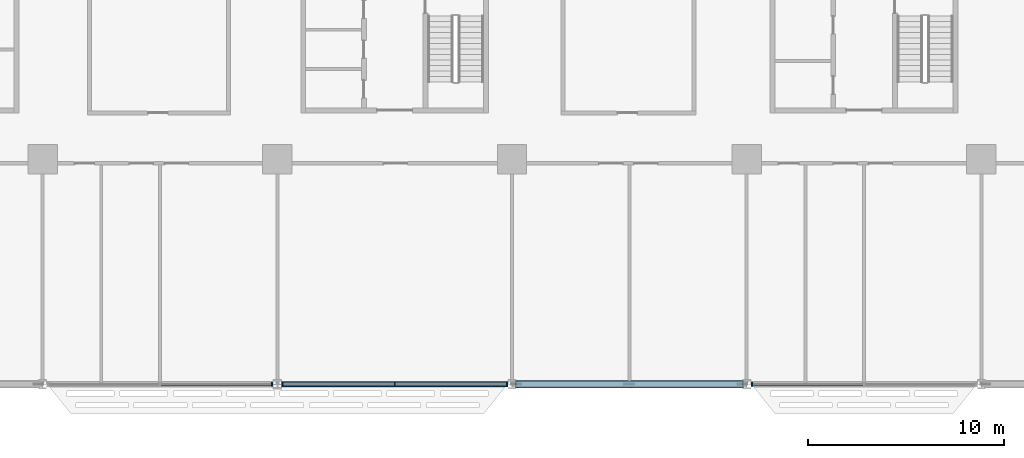
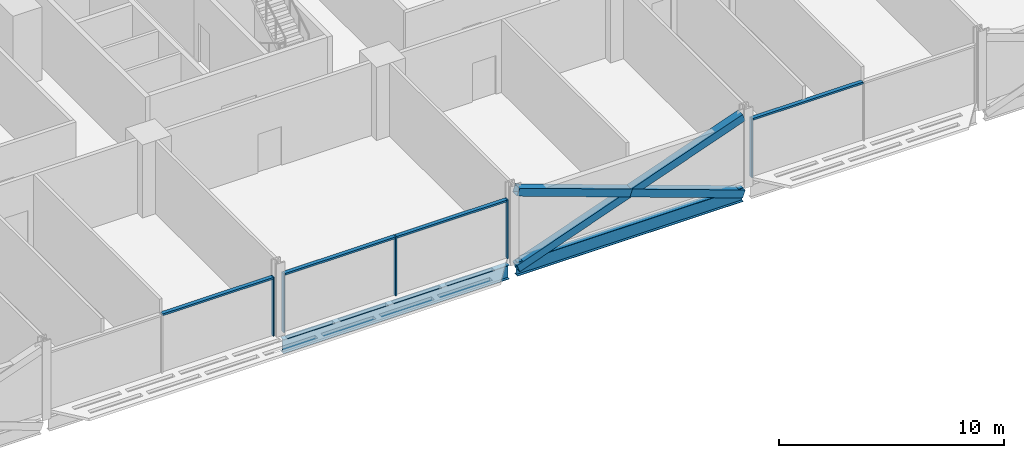
# One storey, part 5 of 30: 12 members, 2 beams, 3 elements without a shape of their own.
"""IFC4 building model written with IfcOpenShell, lengths in metres."""

from ifc_helpers import new_model, si_unit, direction, frame, origin, origin_2d, place, context, subcontext, project, spatial, rectangle, hollow_rectangle, i_section, extrude, material, material_profile, profile_set, type_object, element, aggregate, save


model = new_model("IFC4")

# Units and contexts
model_context = context("Model", 3, precision=1e-05, world=origin(), true_north=direction((0.0, 1.0)))
body_context = subcontext(model_context, "Body", "Model", "MODEL_VIEW")
ifc_project = project(units=[si_unit("LENGTHUNIT", "METRE"), si_unit("AREAUNIT", "SQUARE_METRE"), si_unit("VOLUMEUNIT", "CUBIC_METRE"), si_unit("PLANEANGLEUNIT", "RADIAN"), si_unit("MASSUNIT", "GRAM", prefix="KILO")], contexts=[model_context])

# Site, building, storey
site_placement = place(None, origin())
site = spatial("IfcSite", under=ifc_project, at=site_placement, CompositionType="ELEMENT")
building_placement = place(site_placement, origin())
building = spatial("IfcBuilding", under=site, at=building_placement, Name="Mahtab Terrace Research Tower", CompositionType="ELEMENT")
storey_placement = place(building_placement, frame((0.0, 0.0, 50.300048828125)))
storey = spatial("IfcBuildingStorey", under=building, at=storey_placement, Name="L11", CompositionType="ELEMENT", Elevation=50.300048828125)

# Members
ifc_material_1 = material(Name="Steel ASTM A500 Gr C", Category="steel")
ifc_material_profile_1 = material_profile(ifc_material_1, hollow_rectangle(XDim=0.406494140625, YDim=0.406494140625, WallThickness=0.01904296875, at=origin_2d()), Name="HSS16X16X3/4")
ifc_profile_set_1 = profile_set([ifc_material_profile_1], Name="Steel ASTM A500 Gr C")
member_type_1 = type_object("IfcMemberType", Name="HSS 16x16x3/4 brace XB161634", PredefinedType="BRACE", material=ifc_profile_set_1)
member_1_placement = place(storey_placement, frame((6.212158203125, -23.0, -0.642578125), z_axis=(0.94138021482, 0.0, 0.33734743388), x_axis=(0.0, 1.0, 0.0)))
element("IfcMember", 1, at=member_1_placement, inside=storey, type_object=member_type_1, Name="Exoskeleton brace L11 17 a", PredefinedType="BRACE", context=body_context, shape_type="SweptSolid", body=[
    extrude(hollow_rectangle(XDim=0.406494140625, YDim=0.406494140625, WallThickness=0.01904296875, at=origin_2d()), origin(), (0.0, 0.0, 1.0), 12.29638671875),
])
for number, where, z_axis, x_axis, name in (
    (2, (17.787841796875, -23.0, -0.642578125), (-0.941386519928, 0.0, 0.337329838731), (0.0, -1.0, 0.0), "Exoskeleton brace L11 17 b1"),
    (3, (12.0, -23.0, 1.431396484375), (-0.941373909467, 0.0, 0.337365028677), (0.0, -1.0, 0.0), "Exoskeleton brace L11 17 b2"),
):
    element("IfcMember", number, at=place(storey_placement, frame(where, z_axis=z_axis, x_axis=x_axis)), inside=storey, type_object=member_type_1, Name=name, PredefinedType="BRACE", context=body_context, shape_type="SweptSolid", body=[
        extrude(hollow_rectangle(XDim=0.406494140625, YDim=0.406494140625, WallThickness=0.01904296875, at=origin_2d()), origin(), (0.0, 0.0, 1.0), 6.148193359375),
    ])

# Curtain wall, member
ifc_material_2 = material(Name="Laboratory ribbon curtain wall")
curtain_wall_type = type_object("IfcCurtainWallType", Name="Laboratory ribbon curtain wall", PredefinedType="NOTDEFINED", material=ifc_material_2)
curtain_wall_1_placement = place(storey_placement, origin())
curtain_wall_1 = element("IfcCurtainWall", 4, at=curtain_wall_1_placement, inside=storey, type_object=curtain_wall_type, Name="EN.L11.13.25", PredefinedType="NOTDEFINED")
ifc_material_3 = material(Name="Natural anodised aluminium", Category="aluminium")
ifc_material_profile_2 = material_profile(ifc_material_3, rectangle(XDim=0.199951171875, YDim=0.06494140625, at=origin_2d()), Name="MULLION 65x200")
ifc_profile_set_2 = profile_set([ifc_material_profile_2], Name="Natural anodised aluminium")
member_type_2 = type_object("IfcMemberType", Name="Laboratory ribbon curtain wall mullion", PredefinedType="MULLION", material=ifc_profile_set_2)
member_2_placement = place(storey_placement, frame((-6.2705078125, -23.0, 0.0), z_axis=(0.0, 0.0, 1.0), x_axis=(0.0, 1.0, 0.0)))
member_2 = element("IfcMember", 5, at=member_2_placement, type_object=member_type_2, Name="CWL-2 mullion 3", PredefinedType="MULLION", context=body_context, shape_type="SweptSolid", body=[
    extrude(rectangle(XDim=0.199951171875, YDim=0.06494140625, at=origin_2d()), origin(), (0.0, 0.0, 1.0), 3.203125),
])

# Curtain wall, members
curtain_wall_2_placement = place(storey_placement, origin())
curtain_wall_2 = element("IfcCurtainWall", 6, at=curtain_wall_2_placement, inside=storey, type_object=curtain_wall_type, Name="EN.L11.13.26", PredefinedType="NOTDEFINED")
member_3_placement = place(storey_placement, frame((-5.7294921875, -23.0, 0.0), z_axis=(0.0, 0.0, 1.0), x_axis=(0.0, 1.0, 0.0)))
member_3 = element("IfcMember", 7, at=member_3_placement, type_object=member_type_2, Name="CWL-2 mullion 1", PredefinedType="MULLION", context=body_context, shape_type="SweptSolid", body=[
    extrude(rectangle(XDim=0.199951171875, YDim=0.06494140625, at=origin_2d()), origin(), (0.0, 0.0, 1.0), 3.203125),
])
member_4_placement = place(storey_placement, frame((0.0, -23.0, 0.0), z_axis=(0.0, 0.0, 1.0), x_axis=(0.0, 1.0, 0.0)))
member_4 = element("IfcMember", 8, at=member_4_placement, type_object=member_type_2, Name="CWL-2 mullion 2", PredefinedType="MULLION", context=body_context, shape_type="SweptSolid", body=[
    extrude(rectangle(XDim=0.199951171875, YDim=0.06494140625, at=origin_2d()), origin(), (0.0, 0.0, 1.0), 3.203125),
])
member_5_placement = place(storey_placement, frame((5.7294921875, -23.0, 0.0), z_axis=(0.0, 0.0, 1.0), x_axis=(0.0, 1.0, 0.0)))
member_5 = element("IfcMember", 9, at=member_5_placement, type_object=member_type_2, Name="CWL-2 mullion 3", PredefinedType="MULLION", context=body_context, shape_type="SweptSolid", body=[
    extrude(rectangle(XDim=0.199951171875, YDim=0.06494140625, at=origin_2d()), origin(), (0.0, 0.0, 1.0), 3.203125),
])

# Curtain wall, member
curtain_wall_3_placement = place(storey_placement, origin())
curtain_wall_3 = element("IfcCurtainWall", 10, at=curtain_wall_3_placement, inside=storey, type_object=curtain_wall_type, Name="EN.L11.13.28", PredefinedType="NOTDEFINED")
member_6_placement = place(storey_placement, frame((18.2705078125, -23.0, 0.0), z_axis=(0.0, 0.0, 1.0), x_axis=(0.0, 1.0, 0.0)))
member_6 = element("IfcMember", 11, at=member_6_placement, type_object=member_type_2, Name="CWL-2 mullion 1", PredefinedType="MULLION", context=body_context, shape_type="SweptSolid", body=[
    extrude(rectangle(XDim=0.199951171875, YDim=0.06494140625, at=origin_2d()), origin(), (0.0, 0.0, 1.0), 3.203125),
])

# Member
ifc_material_profile_3 = material_profile(ifc_material_3, rectangle(XDim=0.199951171875, YDim=0.10009765625, at=origin_2d()), Name="TRANSOM 100x200")
ifc_profile_set_3 = profile_set([ifc_material_profile_3], Name="Natural anodised aluminium")
member_type_3 = type_object("IfcMemberType", Name="Laboratory ribbon curtain wall transom", PredefinedType="USERDEFINED", material=ifc_profile_set_3)
member_7_placement = place(storey_placement, frame((-11.967529296875, -23.0, 3.153076171875), z_axis=(1.0, 0.0, 0.0), x_axis=(0.0, 1.0, 0.0)))
member_7 = element("IfcMember", 12, at=member_7_placement, type_object=member_type_3, Name="CWL-2 transom 2", ObjectType="TRANSOM", PredefinedType="USERDEFINED", context=body_context, shape_type="SweptSolid", body=[
    extrude(rectangle(XDim=0.199951171875, YDim=0.10009765625, at=origin_2d()), origin(), (0.0, 0.0, 1.0), 5.66455078125),
])

aggregate(curtain_wall_1, [member_2, member_7])

member_8_placement = place(storey_placement, frame((-5.697021484375, -23.0, 3.153076171875), z_axis=(1.0, 0.0, 0.0), x_axis=(0.0, 1.0, 0.0)))
member_8 = element("IfcMember", 13, at=member_8_placement, type_object=member_type_3, Name="CWL-2 transom 1", ObjectType="TRANSOM", PredefinedType="USERDEFINED", context=body_context, shape_type="SweptSolid", body=[
    extrude(rectangle(XDim=0.199951171875, YDim=0.10009765625, at=origin_2d()), origin(), (0.0, 0.0, 1.0), 5.66455078125),
])

member_9_placement = place(storey_placement, frame((0.032470703125, -23.0, 3.153076171875), z_axis=(1.0, 0.0, 0.0), x_axis=(0.0, 1.0, 0.0)))
member_9 = element("IfcMember", 14, at=member_9_placement, type_object=member_type_3, Name="CWL-2 transom 2", ObjectType="TRANSOM", PredefinedType="USERDEFINED", context=body_context, shape_type="SweptSolid", body=[
    extrude(rectangle(XDim=0.199951171875, YDim=0.10009765625, at=origin_2d()), origin(), (0.0, 0.0, 1.0), 5.66455078125),
])

aggregate(curtain_wall_2, [member_3, member_4, member_5, member_8, member_9])

member_10_placement = place(storey_placement, frame((18.302978515625, -23.0, 3.153076171875), z_axis=(1.0, 0.0, 0.0), x_axis=(0.0, 1.0, 0.0)))
member_10 = element("IfcMember", 15, at=member_10_placement, type_object=member_type_3, Name="CWL-2 transom 1", ObjectType="TRANSOM", PredefinedType="USERDEFINED", context=body_context, shape_type="SweptSolid", body=[
    extrude(rectangle(XDim=0.199951171875, YDim=0.10009765625, at=origin_2d()), origin(), (0.0, 0.0, 1.0), 5.66455078125),
])

aggregate(curtain_wall_3, [member_6, member_10])

# Beams
ifc_material_4 = material(Name="Steel ASTM A992 Gr 50", Category="steel")
ifc_material_profile_4 = material_profile(ifc_material_4, i_section(OverallWidth=0.2666015625, OverallDepth=0.7568359375, WebThickness=0.013916015625, FlangeThickness=0.019287109375, at=origin_2d()), Name="W30X108")
ifc_profile_set_4 = profile_set([ifc_material_profile_4], Name="Steel ASTM A992 Gr 50")
beam_type = type_object("IfcBeamType", Name="W30x108 beam BS30108", PredefinedType="BEAM", material=ifc_profile_set_4)
for number, where, z_axis, x_axis, name in (
    (16, (-5.787841796875, -23.0, -0.718505859375), (1.0, 0.0, 0.0), (0.0, 1.0, 0.0), "Spandrel beam L11 16"),
    (17, (6.212158203125, -23.0, -0.718505859375), (1.0, 0.0, 0.0), (0.0, 1.0, 0.0), "Spandrel beam L11 17"),
):
    element("IfcBeam", number, at=place(storey_placement, frame(where, z_axis=z_axis, x_axis=x_axis)), inside=storey, type_object=beam_type, Name=name, PredefinedType="BEAM", context=body_context, shape_type="SweptSolid", body=[
        extrude(i_section(OverallWidth=0.2666015625, OverallDepth=0.7568359375, WebThickness=0.013916015625, FlangeThickness=0.019287109375, at=origin_2d()), origin(), (0.0, 0.0, 1.0), 11.57568359375),
    ])

save(model, "model.ifc")
